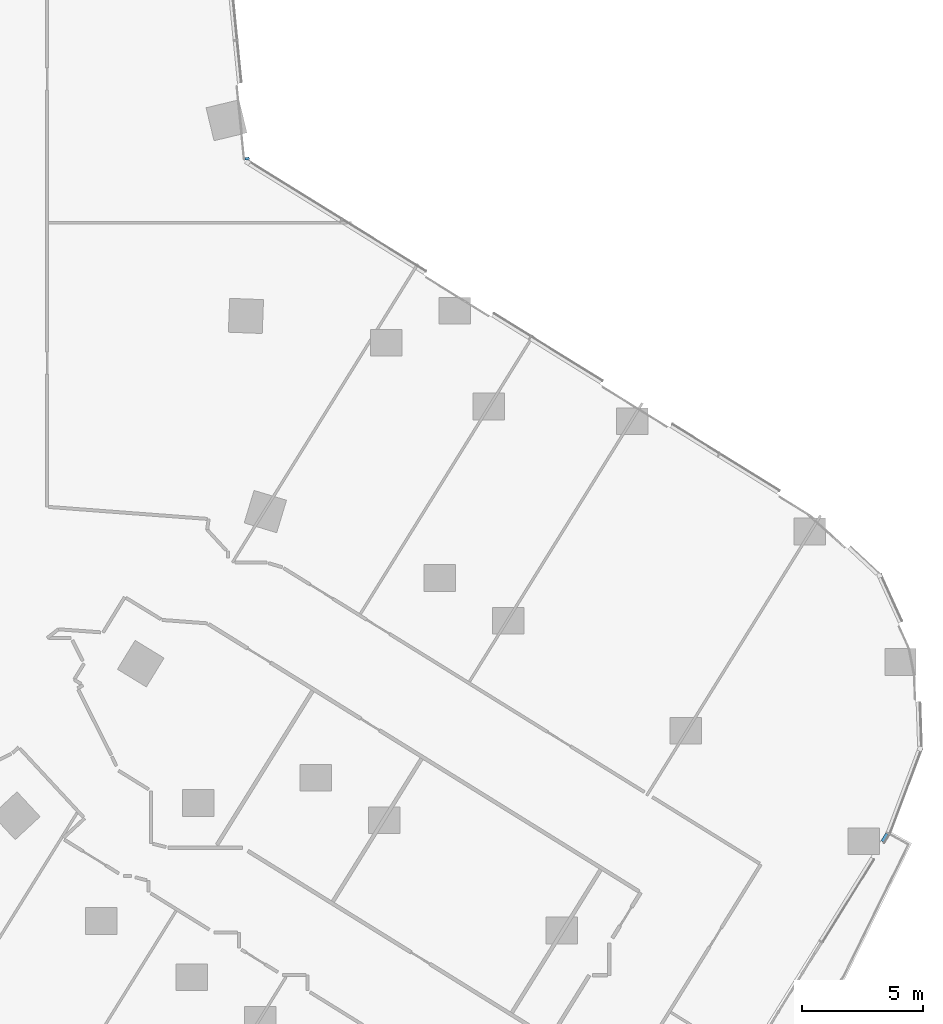
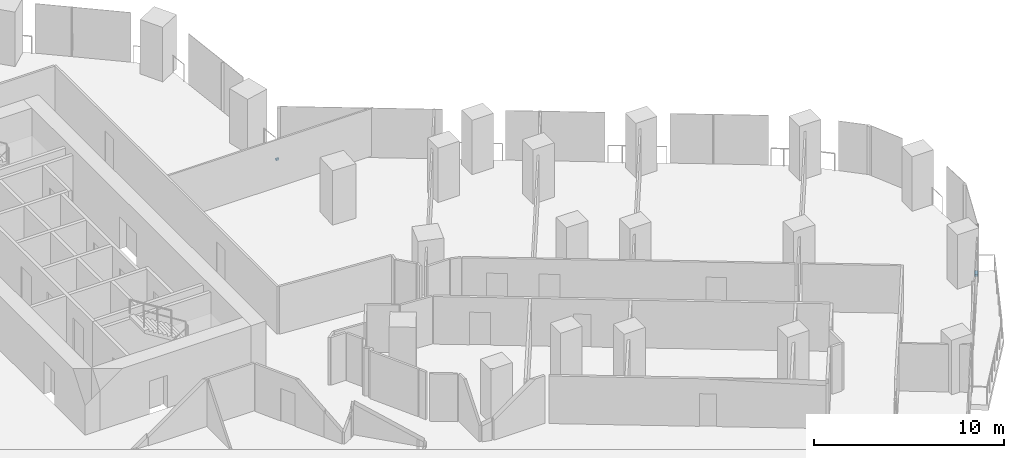
# One storey, part 15 of 34: 2 members, 2 elements without a shape of their own.
"""IFC4 building model written with IfcOpenShell, lengths in metres."""

from ifc_helpers import new_model, si_unit, direction, frame, origin, origin_2d, place, context, subcontext, project, spatial, rectangle, extrude, material, material_profile, profile_set, type_object, element, aggregate, save


model = new_model("IFC4")

# Units and contexts
model_context = context("Model", 3, precision=1e-05, world=origin(), true_north=direction((0.0, 1.0)))
body_context = subcontext(model_context, "Body", "Model", "MODEL_VIEW")
ifc_project = project(units=[si_unit("LENGTHUNIT", "METRE"), si_unit("AREAUNIT", "SQUARE_METRE"), si_unit("VOLUMEUNIT", "CUBIC_METRE"), si_unit("PLANEANGLEUNIT", "RADIAN"), si_unit("MASSUNIT", "GRAM", prefix="KILO")], contexts=[model_context])

# Site, building, storey
site_placement = place(None, origin())
site = spatial("IfcSite", under=ifc_project, at=site_placement, CompositionType="ELEMENT")
building_placement = place(site_placement, origin())
building = spatial("IfcBuilding", under=site, at=building_placement, Name="Orlundy Tower", CompositionType="ELEMENT")
storey_placement = place(building_placement, frame((0.0, 0.0, 37.300048828125)))
storey = spatial("IfcBuildingStorey", under=building, at=storey_placement, Name="L07", CompositionType="ELEMENT", Elevation=37.300048828125)

# Curtain wall, member
ifc_material_1 = material(Name="Aluminium bronze anodised", Category="aluminium")
curtain_wall_type = type_object("IfcCurtainWallType", Name="CW1 wall", PredefinedType="NOTDEFINED", material=ifc_material_1)
curtain_wall_1_placement = place(storey_placement, origin())
curtain_wall_1 = element("IfcCurtainWall", 1, at=curtain_wall_1_placement, inside=storey, type_object=curtain_wall_type, Name="CW1 run 05", PredefinedType="NOTDEFINED")
ifc_material_2 = material(Name="Aluminium bronze anodised", Category="aluminium")
ifc_material_profile = material_profile(ifc_material_2, rectangle(XDim=0.179931640625, YDim=0.1201171875, at=origin_2d()), Name="CW1 transom 180x120")
ifc_profile_set = profile_set([ifc_material_profile], Name="Aluminium bronze anodised")
member_type = type_object("IfcMemberType", Name="CW1 transom 180x120", PredefinedType="USERDEFINED", material=ifc_profile_set)
member_1_placement = place(storey_placement, frame((29.70068359375, 5.4111328125, -0.360107421875), z_axis=(0.097888269922, -0.995197410875, 0.0), x_axis=(0.995197410875, 0.097888269922, 0.0)))
member_1 = element("IfcMember", 2, at=member_1_placement, type_object=member_type, Name="CW1 transom", ObjectType="TRANSOM", PredefinedType="USERDEFINED", context=body_context, shape_type="SweptSolid", body=[
    extrude(rectangle(XDim=0.179931640625, YDim=0.1201171875, at=origin_2d()), origin(), (0.0, 0.0, 1.0), 0.104736328125),
])
aggregate(curtain_wall_1, [member_1])

curtain_wall_2_placement = place(storey_placement, origin())
curtain_wall_2 = element("IfcCurtainWall", 3, at=curtain_wall_2_placement, inside=storey, type_object=curtain_wall_type, Name="CW1 run 011", PredefinedType="NOTDEFINED")
member_2_placement = place(storey_placement, frame((56.156982421875, -22.524169921875, 0.06005859375), z_axis=(-0.527507151748, -0.849550589933, 0.0), x_axis=(0.849550589933, -0.527507151748, 0.0)))
member_2 = element("IfcMember", 4, at=member_2_placement, type_object=member_type, Name="CW1 transom", ObjectType="TRANSOM", PredefinedType="USERDEFINED", context=body_context, shape_type="SweptSolid", body=[
    extrude(rectangle(XDim=0.179931640625, YDim=0.1201171875, at=origin_2d()), origin(), (0.0, 0.0, 1.0), 0.379150390625),
])
aggregate(curtain_wall_2, [member_2])

save(model, "model.ifc")
